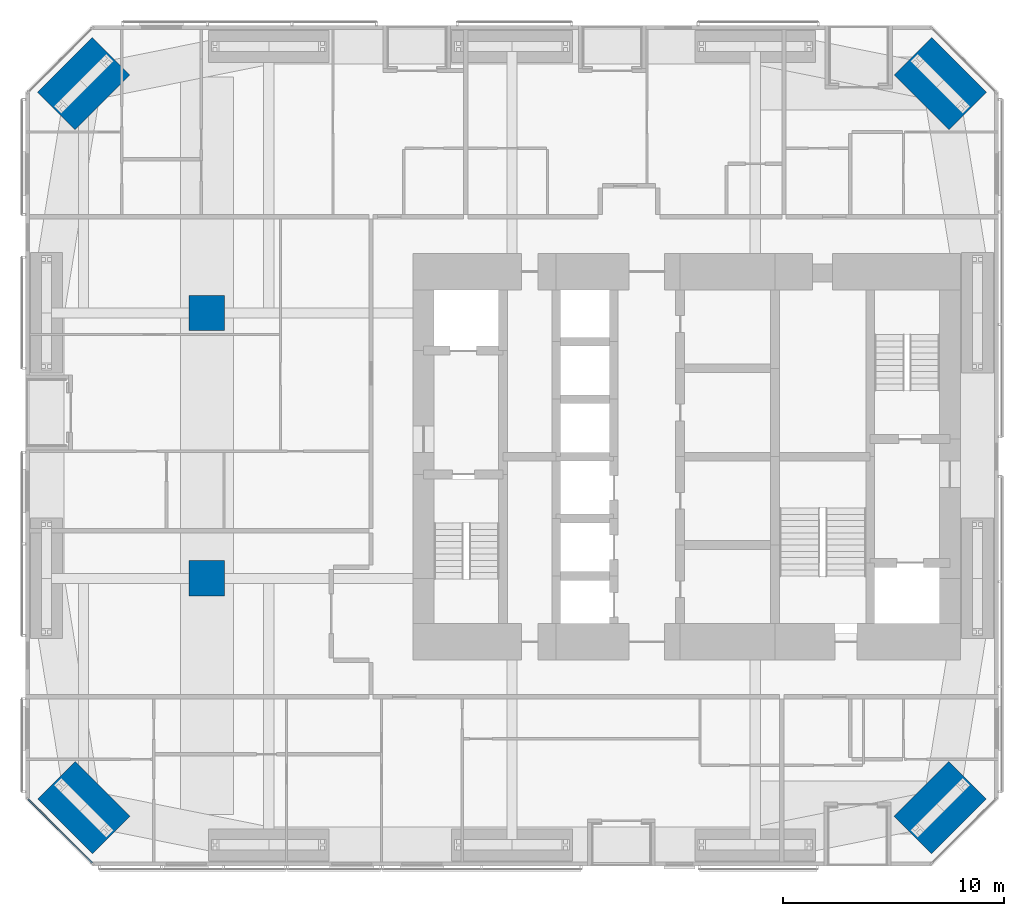
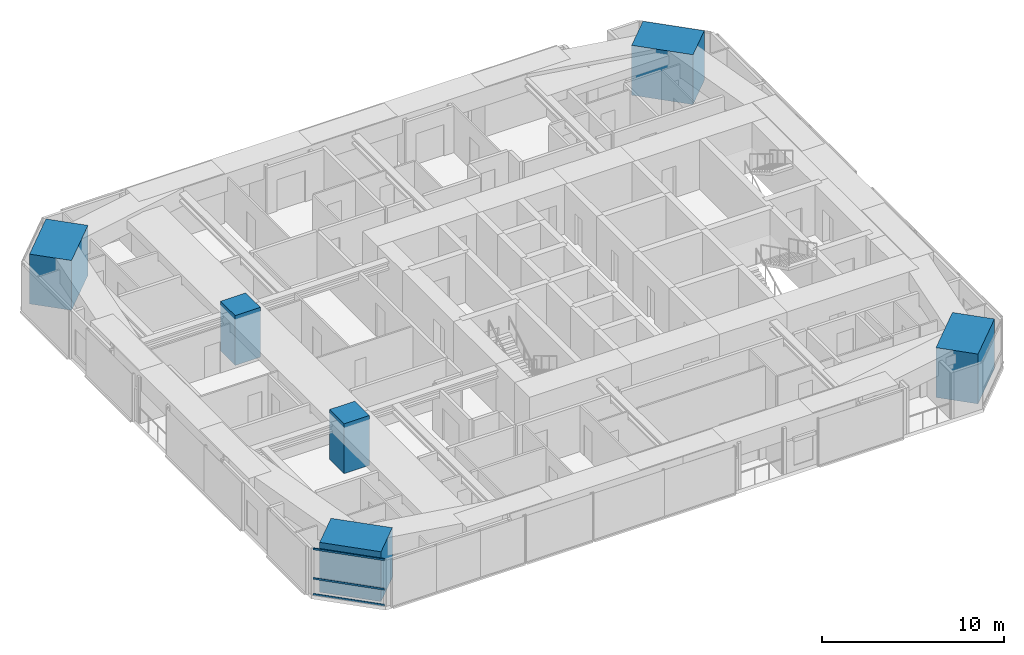
# One storey, part 1 of 24: 6 columns, 3 members, 1 element without a shape of its own.
"""IFC4 building model written with IfcOpenShell, lengths in metres."""

from ifc_helpers import new_model, si_unit, direction, frame, origin, origin_2d, place, context, subcontext, project, spatial, rectangle, extrude, material, material_profile, profile_set, type_object, element, aggregate, save


model = new_model("IFC4")

# Units and contexts
model_context = context("Model", 3, precision=1e-05, world=origin(), true_north=direction((0.0, 1.0)))
body_context = subcontext(model_context, "Body", "Model", "MODEL_VIEW")
ifc_project = project(units=[si_unit("LENGTHUNIT", "METRE"), si_unit("AREAUNIT", "SQUARE_METRE"), si_unit("VOLUMEUNIT", "CUBIC_METRE"), si_unit("PLANEANGLEUNIT", "RADIAN"), si_unit("MASSUNIT", "GRAM", prefix="KILO")], contexts=[model_context])

# Site, building, storey
site_placement = place(None, origin())
site = spatial("IfcSite", under=ifc_project, at=site_placement, CompositionType="ELEMENT")
building_placement = place(site_placement, origin())
building = spatial("IfcBuilding", under=site, at=building_placement, Name="Jalousie Tower", CompositionType="ELEMENT")
storey_placement = place(building_placement, frame((0.0, 0.0, 44.449951171875)))
storey = spatial("IfcBuildingStorey", under=building, at=storey_placement, Name="L11", CompositionType="ELEMENT", Elevation=44.449951171875)

# Columns
ifc_material_1 = material(Name="Concrete f'c 120 MPa", Category="concrete")
ifc_material_profile_1 = material_profile(ifc_material_1, rectangle(XDim=1.60009765625, YDim=1.60009765625, at=origin_2d()), Name="RC 1600x1600")
ifc_profile_set_1 = profile_set([ifc_material_profile_1], Name="Concrete f'c 120 MPa")
column_type_1 = type_object("IfcColumnType", Name="RC COLUMN 1600x1600", PredefinedType="COLUMN", material=ifc_profile_set_1)
for number, where, z_axis, x_axis, name in (
    (1, (10.199951171875, 13.0, 0.0), (0.0, 0.0, 1.0), (1.0, 0.0, 0.0), "Interior column IA1 L11"),
    (2, (10.199951171875, 25.0, 0.0), (0.0, 0.0, 1.0), (1.0, 0.0, 0.0), "Interior column IA2 L11"),
):
    element("IfcColumn", number, at=place(storey_placement, frame(where, z_axis=z_axis, x_axis=x_axis)), inside=storey, type_object=column_type_1, Name=name, PredefinedType="COLUMN", context=body_context, shape_type="SweptSolid", body=[
        extrude(rectangle(XDim=1.60009765625, YDim=1.60009765625, at=origin_2d()), origin(), (0.0, 0.0, 1.0), 3.35009765625),
    ])
ifc_material_2 = material(Name="Concrete f'c 120 MPa", Category="concrete")
ifc_material_profile_2 = material_profile(ifc_material_2, rectangle(XDim=2.39990234375, YDim=3.5, at=origin_2d()), Name="RC 2400x3500")
ifc_profile_set_2 = profile_set([ifc_material_profile_2], Name="Concrete f'c 120 MPa")
column_type_2 = type_object("IfcColumnType", Name="RC CORNER COLUMN 2400x3500", PredefinedType="COLUMN", material=ifc_profile_set_2)
for number, where, z_axis, x_axis, name in (
    (3, (4.63134765625, 2.63134765625, 0.0), (0.0, 0.0, 1.0), (0.707106781187, 0.707106781187, 0.0), "Corner column 01 L11"),
    (4, (43.36865234375, 2.63134765625, 0.0), (0.0, 0.0, 1.0), (-0.707106781187, 0.707106781187, 0.0), "Corner column 05 L11"),
    (5, (43.36865234375, 35.36865234375, 0.0), (0.0, 0.0, 1.0), (-0.707106781187, -0.707106781187, 0.0), "Corner column 08 L11"),
    (6, (4.63134765625, 35.36865234375, 0.0), (0.0, 0.0, 1.0), (0.707106781187, -0.707106781187, 0.0), "Corner column 12 L11"),
):
    element("IfcColumn", number, at=place(storey_placement, frame(where, z_axis=z_axis, x_axis=x_axis)), inside=storey, type_object=column_type_2, Name=name, PredefinedType="COLUMN", context=body_context, shape_type="SweptSolid", body=[
        extrude(rectangle(XDim=2.39990234375, YDim=3.5, at=origin_2d()), origin(), (0.0, 0.0, 1.0), 3.35009765625),
    ])

# Curtain wall, members
ifc_material_3 = material(Name="Aluminium curtain wall", Category="aluminium")
curtain_wall_type = type_object("IfcCurtainWallType", Name="CORNER WINDOW WALL", PredefinedType="USERDEFINED", material=ifc_material_3)
curtain_wall_placement = place(storey_placement, origin())
curtain_wall = element("IfcCurtainWall", 7, at=curtain_wall_placement, inside=storey, type_object=curtain_wall_type, Name="Corner Window Wall L11 8", ObjectType="CORNER WINDOW WALL", PredefinedType="USERDEFINED")
ifc_material_4 = material(Name="Aluminium transom", Category="aluminium")
ifc_material_profile_3 = material_profile(ifc_material_4, rectangle(XDim=0.06005859375, YDim=0.1201171875, at=origin_2d()), Name="TRANSOM 60x120")
ifc_profile_set_3 = profile_set([ifc_material_profile_3], Name="Aluminium transom")
member_type = type_object("IfcMemberType", Name="CORNER WINDOW WALL TRANSOM", PredefinedType="USERDEFINED", material=ifc_profile_set_3)
member_1_placement = place(storey_placement, frame((2.1298828125, 3.0087890625, 0.030029296875), z_axis=(0.707106781187, -0.707106781187, 0.0), x_axis=(0.707106781187, 0.707106781187, 0.0)))
member_1 = element("IfcMember", 8, at=member_1_placement, type_object=member_type, Name="CW-C transom 1.1", ObjectType="TRANSOM", PredefinedType="USERDEFINED", context=body_context, shape_type="SweptSolid", body=[
    extrude(rectangle(XDim=0.06005859375, YDim=0.1201171875, at=origin_2d()), origin(), (0.0, 0.0, 1.0), 4.0712890625),
])
member_2_placement = place(storey_placement, frame((2.1298828125, 3.0087890625, 1.10009765625), z_axis=(0.707106781187, -0.707106781187, 0.0), x_axis=(0.707106781187, 0.707106781187, 0.0)))
member_2 = element("IfcMember", 9, at=member_2_placement, type_object=member_type, Name="CW-C transom 1.2", ObjectType="TRANSOM", PredefinedType="USERDEFINED", context=body_context, shape_type="SweptSolid", body=[
    extrude(rectangle(XDim=0.06005859375, YDim=0.1201171875, at=origin_2d()), origin(), (0.0, 0.0, 1.0), 4.0712890625),
])
member_3_placement = place(storey_placement, frame((2.1298828125, 3.0087890625, 3.080078125), z_axis=(0.707106781187, -0.707106781187, 0.0), x_axis=(0.707106781187, 0.707106781187, 0.0)))
member_3 = element("IfcMember", 10, at=member_3_placement, type_object=member_type, Name="CW-C transom 1.3", ObjectType="TRANSOM", PredefinedType="USERDEFINED", context=body_context, shape_type="SweptSolid", body=[
    extrude(rectangle(XDim=0.06005859375, YDim=0.1201171875, at=origin_2d()), origin(), (0.0, 0.0, 1.0), 4.0712890625),
])
aggregate(curtain_wall, [member_1, member_2, member_3])

save(model, "model.ifc")
